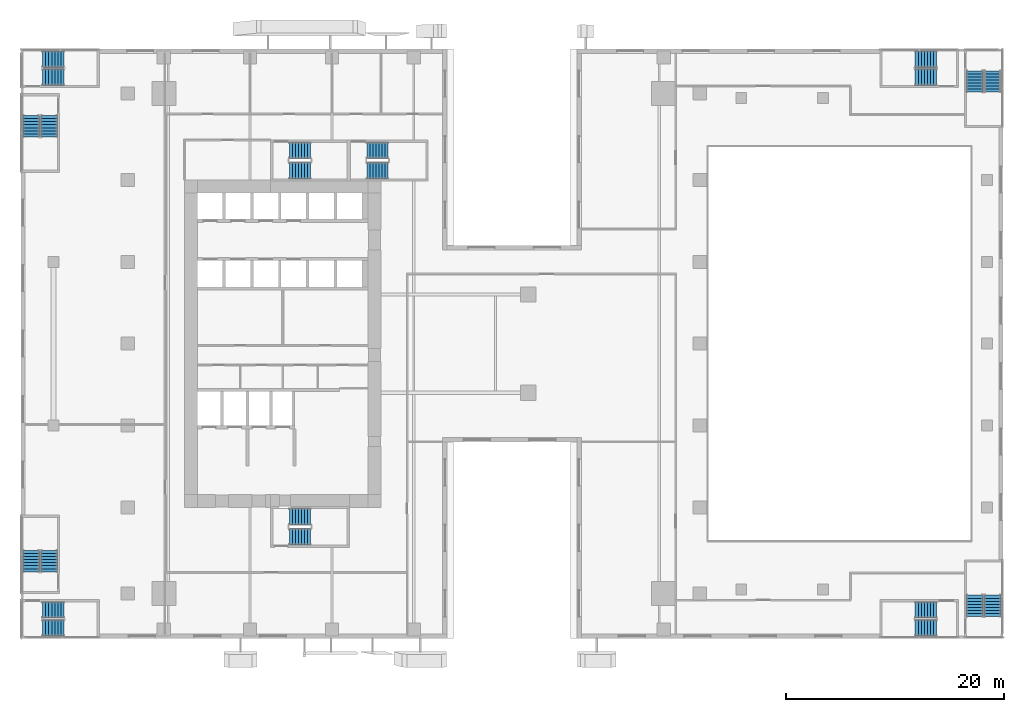
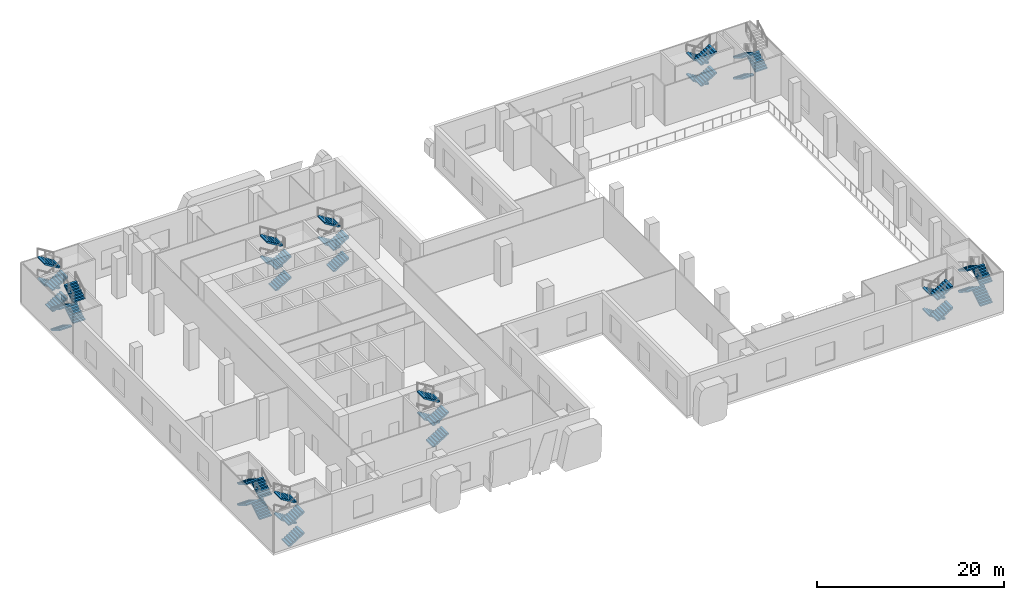
# One storey, part 15 of 23: 43 stair flights, 11 elements without a shape of their own.
"""IFC4 building model written with IfcOpenShell, lengths in metres."""

from ifc_helpers import new_model, si_unit, direction, frame, origin, place, context, subcontext, project, spatial, polyline, outline, extrude, source, transform, mapped, material, type_object, element, aggregate, save


model = new_model("IFC4")

# Units and contexts
model_context = context("Model", 3, precision=1e-05, world=origin(), true_north=direction((0.0, 1.0)))
body_context = subcontext(model_context, "Body", "Model", "MODEL_VIEW")
ifc_project = project(units=[si_unit("LENGTHUNIT", "METRE"), si_unit("AREAUNIT", "SQUARE_METRE"), si_unit("VOLUMEUNIT", "CUBIC_METRE"), si_unit("PLANEANGLEUNIT", "RADIAN"), si_unit("MASSUNIT", "GRAM", prefix="KILO")], contexts=[model_context])

# Site, building, storey
site_placement = place(None, origin())
site = spatial("IfcSite", under=ifc_project, at=site_placement, CompositionType="ELEMENT")
building_placement = place(site_placement, origin())
building = spatial("IfcBuilding", under=site, at=building_placement, Name="Khomas Fold Tower", CompositionType="ELEMENT")
storey_placement = place(building_placement, frame((0.0, 0.0, 13.0)))
storey = spatial("IfcBuildingStorey", under=building, at=storey_placement, Name="L02", CompositionType="ELEMENT", Elevation=13.0)

# Stair, stair flights
ifc_material_1 = material(Name="Concrete C40/50", Category="concrete")
stair_type_1 = type_object("IfcStairType", Name="Stair ST1", PredefinedType="HALF_TURN_STAIR", material=ifc_material_1)
stair_1_placement = place(storey_placement, origin())
stair_1 = element("IfcStair", 1, at=stair_1_placement, inside=storey, type_object=stair_type_1, Name="L02 ST1", PredefinedType="HALF_TURN_STAIR")
ifc_material_2 = material(Name="Concrete C40/50", Category="concrete")
stair_flight_type_1 = type_object("IfcStairFlightType", Name="Stair flight 1500 ST1", PredefinedType="STRAIGHT", material=ifc_material_2)
shared_shape = source(origin(), body_context, "Body", "SweptSolid", [
    extrude(outline(polyline([(0.0, 0.0), (0.0, 0.00146484375), (0.0, 0.0029296875), (0.0, 0.004150390625), (0.0, 0.005615234375), (0.0, 0.007080078125), (0.0, 0.008544921875), (0.0, 0.010009765625), (0.0, 0.011474609375), (0.0, 0.0126953125), (0.0, 0.01416015625), (0.0, 0.015625), (0.0, 0.01708984375), (0.0, 0.0185546875), (0.0, 0.019775390625), (0.0, 0.021240234375), (0.0, 0.022705078125), (0.0, 0.024169921875), (0.0, 0.025634765625), (0.0, 0.027099609375), (0.0, 0.0283203125), (0.0, 0.02978515625), (0.0, 0.03125), (0.0, 0.03271484375), (0.0, 0.0341796875), (0.0, 0.035400390625), (0.0, 0.036865234375), (0.0, 0.038330078125), (0.0, 0.039794921875), (0.0, 0.041259765625), (0.0, 0.042724609375), (0.0, 0.0439453125), (0.0, 0.04541015625), (0.0, 0.046875), (0.0, 0.04833984375), (0.0, 0.0498046875), (0.0, 0.051025390625), (0.0, 0.052490234375), (0.0, 0.053955078125), (0.0, 0.055419921875), (0.0, 0.056884765625), (0.0, 0.058349609375), (0.0, 0.0595703125), (0.0, 0.06103515625), (0.0, 0.0625), (0.0, 0.06396484375), (0.0, 0.0654296875), (0.0, 0.066650390625), (0.0, 0.068115234375), (0.0, 0.069580078125), (0.0, 0.071044921875), (0.0, 0.072509765625), (0.0, 0.073974609375), (0.0, 0.0751953125), (0.0, 0.07666015625), (0.0, 0.078125), (0.0, 0.07958984375), (0.0, 0.0810546875), (0.0, 0.082275390625), (0.0, 0.083740234375), (0.0, 0.085205078125), (0.0, 0.086669921875), (0.0, 0.088134765625), (0.0, 0.089599609375), (0.0, 0.0908203125), (0.0, 0.09228515625), (0.0, 0.09375), (0.0, 0.09521484375), (0.0, 0.0966796875), (0.0, 0.097900390625), (0.0, 0.099365234375), (0.0, 0.100830078125), (0.0, 0.102294921875), (0.0, 0.103759765625), (0.0, 0.105224609375), (0.0, 0.1064453125), (0.0, 0.10791015625), (0.0, 0.109375), (0.0, 0.11083984375), (0.0, 0.1123046875), (0.0, 0.113525390625), (0.0, 0.114990234375), (0.0, 0.116455078125), (0.0, 0.117919921875), (0.0, 0.119384765625), (0.0, 0.120849609375), (0.0, 0.1220703125), (0.0, 0.12353515625), (0.0, 0.125), (0.0, 0.12646484375), (0.0, 0.1279296875), (0.0, 0.129150390625), (0.0, 0.130615234375), (0.0, 0.132080078125), (0.0, 0.133544921875), (0.0, 0.135009765625), (0.0, 0.136474609375), (0.0, 0.1376953125), (0.0, 0.13916015625), (0.0, 0.140625), (0.0, 0.14208984375), (0.0, 0.1435546875), (0.0, 0.144775390625), (0.0, 0.146240234375), (0.0, 0.147705078125), (0.0, 0.149169921875), (0.0, 0.150634765625), (0.0, 0.152099609375), (0.0, 0.1533203125), (0.0, 0.15478515625), (0.0, 0.15625), (0.0, 0.15771484375), (0.0, 0.1591796875), (0.0, 0.160400390625), (0.0, 0.161865234375), (0.0, 0.163330078125), (0.0, 0.164794921875), (0.0, 0.166259765625), (0.0, 0.167724609375), (0.0, 0.1689453125), (0.0, 0.17041015625), (0.0, 0.171875), (0.280029296875, 0.171875), (0.280029296875, 0.34375), (0.56005859375, 0.34375), (0.56005859375, 0.515625), (0.840087890625, 0.515625), (0.840087890625, 0.6875), (1.1201171875, 0.6875), (1.1201171875, 0.859375), (1.39990234375, 0.859375), (1.39990234375, 1.03125), (1.679931640625, 1.03125), (1.679931640625, 1.203125), (1.9599609375, 1.203125), (1.9599609375, 1.375), (1.9599609375, 1.3720703125), (1.9599609375, 1.369140625), (1.9599609375, 1.366455078125), (1.9599609375, 1.363525390625), (1.9599609375, 1.360595703125), (1.9599609375, 1.357666015625), (1.9599609375, 1.35498046875), (1.9599609375, 1.35205078125), (1.9599609375, 1.34912109375), (1.9599609375, 1.34619140625), (1.9599609375, 1.343505859375), (1.9599609375, 1.340576171875), (1.9599609375, 1.337646484375), (1.9599609375, 1.334716796875), (1.9599609375, 1.331787109375), (1.9599609375, 1.3291015625), (1.9599609375, 1.326171875), (1.9599609375, 1.3232421875), (1.9599609375, 1.3203125), (1.9599609375, 1.317626953125), (1.9599609375, 1.314697265625), (1.9599609375, 1.311767578125), (1.9599609375, 1.308837890625), (1.9599609375, 1.305908203125), (1.9599609375, 1.30322265625), (1.9599609375, 1.30029296875), (1.9599609375, 1.29736328125), (1.9599609375, 1.29443359375), (1.9599609375, 1.291748046875), (1.9599609375, 1.288818359375), (1.9599609375, 1.285888671875), (1.9599609375, 1.282958984375), (1.9599609375, 1.2802734375), (1.9599609375, 1.27734375), (1.9599609375, 1.2744140625), (1.9599609375, 1.271484375), (1.9599609375, 1.2685546875), (1.9599609375, 1.265869140625), (1.9599609375, 1.262939453125), (1.9599609375, 1.260009765625), (1.9599609375, 1.257080078125), (1.9599609375, 1.25439453125), (1.9599609375, 1.25146484375), (1.9599609375, 1.24853515625), (1.9599609375, 1.24560546875), (1.9599609375, 1.24267578125), (1.9599609375, 1.239990234375), (1.9599609375, 1.237060546875), (1.9599609375, 1.234130859375), (1.9599609375, 1.231201171875), (1.9599609375, 1.228515625), (1.9599609375, 1.2255859375), (1.9599609375, 1.22265625), (1.9599609375, 1.2197265625), (1.9599609375, 1.217041015625), (1.9599609375, 1.214111328125), (1.9599609375, 1.211181640625), (1.9599609375, 1.208251953125), (1.9599609375, 1.205322265625), (1.9599609375, 1.20263671875), (1.9599609375, 1.19970703125), (1.9599609375, 1.19677734375), (1.9599609375, 1.19384765625), (1.9599609375, 1.191162109375), (1.9599609375, 1.188232421875), (1.9599609375, 1.185302734375), (1.9599609375, 1.182373046875), (1.9599609375, 1.179443359375), (1.9599609375, 1.1767578125), (1.9599609375, 1.173828125), (1.9599609375, 1.1708984375), (1.9599609375, 1.16796875), (1.9599609375, 1.165283203125), (1.9599609375, 1.162353515625), (1.9599609375, 1.159423828125), (1.9599609375, 1.156494140625), (1.9599609375, 1.15380859375), (1.9599609375, 1.15087890625), (1.9599609375, 1.14794921875), (1.9599609375, 1.14501953125), (1.9599609375, 1.14208984375), (1.9599609375, 1.139404296875), (1.9599609375, 1.136474609375), (1.9599609375, 1.133544921875), (1.9599609375, 1.130615234375), (1.9599609375, 1.1279296875), (1.9599609375, 1.125), (1.9599609375, 1.1220703125), (1.9599609375, 1.119140625), (1.9599609375, 1.1162109375), (1.9599609375, 1.113525390625), (1.9599609375, 1.110595703125), (1.9599609375, 1.107666015625), (1.9599609375, 1.104736328125), (1.9599609375, 1.10205078125), (1.9599609375, 1.09912109375), (1.9599609375, 1.09619140625), (1.9599609375, 1.09326171875), (1.9599609375, 1.090576171875), (1.9599609375, 1.087646484375), (1.9599609375, 1.084716796875), (1.9599609375, 1.081787109375), (1.9599609375, 1.078857421875), (1.9599609375, 1.076171875), (1.9599609375, 1.0732421875), (1.9599609375, 1.0703125), (1.9599609375, 1.0673828125), (1.9599609375, 1.064697265625), (1.9599609375, 1.061767578125), (1.9599609375, 1.058837890625), (1.9599609375, 1.055908203125), (1.9599609375, 1.05322265625), (1.9599609375, 1.05029296875), (1.9599609375, 1.04736328125), (1.9599609375, 1.04443359375), (1.9599609375, 1.04150390625), (1.9599609375, 1.038818359375), (1.9599609375, 1.035888671875), (1.9599609375, 1.032958984375), (1.9599609375, 1.030029296875), (1.9599609375, 1.02734375), (0.28662109375, 0.0), (0.0, 0.0)])), frame((0.0, 0.75, 0.0), z_axis=(0.0, -1.0, 0.0), x_axis=(1.0, 0.0, 0.0)), (0.0, 0.0, 1.0), 1.5),
])
stair_flight_1_placement = place(storey_placement, frame((15.60009765625, 42.85009765625, 0.0), z_axis=(0.0, 0.0, 1.0), x_axis=(1.0, 0.0, 0.0)))
stair_flight_1 = element("IfcStairFlight", 2, at=stair_flight_1_placement, type_object=stair_flight_type_1, Name="ST1 flight 1", NumberOfRisers=8, NumberOfTreads=7, PredefinedType="STRAIGHT", RiserHeight=0.171875, TreadLength=0.28, context=body_context, shape_type="MappedRepresentation", body=[
    mapped(shared_shape, transform((0.0, 0.0, 0.0))),
])
stair_flight_2_placement = place(storey_placement, frame((17.56005859375, 44.699951171875, 1.375), z_axis=(0.0, 0.0, 1.0), x_axis=(-1.0, 0.0, 0.0)))
stair_flight_2 = element("IfcStairFlight", 3, at=stair_flight_2_placement, type_object=stair_flight_type_1, Name="ST1 flight 2", NumberOfRisers=8, NumberOfTreads=7, PredefinedType="STRAIGHT", RiserHeight=0.171875, TreadLength=0.28, context=body_context, shape_type="MappedRepresentation", body=[
    mapped(shared_shape, transform((0.0, 0.0, 0.0))),
])
stair_flight_3_placement = place(storey_placement, frame((15.60009765625, 42.85009765625, 2.75), z_axis=(0.0, 0.0, 1.0), x_axis=(1.0, 0.0, 0.0)))
stair_flight_3 = element("IfcStairFlight", 4, at=stair_flight_3_placement, type_object=stair_flight_type_1, Name="ST1 flight 3", NumberOfRisers=8, NumberOfTreads=7, PredefinedType="STRAIGHT", RiserHeight=0.171875, TreadLength=0.28, context=body_context, shape_type="MappedRepresentation", body=[
    mapped(shared_shape, transform((0.0, 0.0, 0.0))),
])
stair_flight_4_placement = place(storey_placement, frame((17.56005859375, 44.699951171875, 4.125), z_axis=(0.0, 0.0, 1.0), x_axis=(-1.0, 0.0, 0.0)))
stair_flight_4 = element("IfcStairFlight", 5, at=stair_flight_4_placement, type_object=stair_flight_type_1, Name="ST1 flight 4", NumberOfRisers=8, NumberOfTreads=7, PredefinedType="STRAIGHT", RiserHeight=0.171875, TreadLength=0.28, context=body_context, shape_type="MappedRepresentation", body=[
    mapped(shared_shape, transform((0.0, 0.0, 0.0))),
])
aggregate(stair_1, [stair_flight_1, stair_flight_2, stair_flight_3, stair_flight_4])

ifc_material_3 = material(Name="Concrete C40/50", Category="concrete")
stair_type_2 = type_object("IfcStairType", Name="Stair ST2", PredefinedType="HALF_TURN_STAIR", material=ifc_material_3)
stair_2_placement = place(storey_placement, origin())
stair_2 = element("IfcStair", 6, at=stair_2_placement, inside=storey, type_object=stair_type_2, Name="L02 ST2", PredefinedType="HALF_TURN_STAIR")
ifc_material_4 = material(Name="Concrete C40/50", Category="concrete")
stair_flight_type_2 = type_object("IfcStairFlightType", Name="Stair flight 1500 ST2", PredefinedType="STRAIGHT", material=ifc_material_4)
stair_flight_5_placement = place(storey_placement, frame((15.60009765625, 9.300048828125, 0.0), z_axis=(0.0, 0.0, 1.0), x_axis=(1.0, 0.0, 0.0)))
stair_flight_5 = element("IfcStairFlight", 7, at=stair_flight_5_placement, type_object=stair_flight_type_2, Name="ST2 flight 1", NumberOfRisers=8, NumberOfTreads=7, PredefinedType="STRAIGHT", RiserHeight=0.171875, TreadLength=0.28, context=body_context, shape_type="MappedRepresentation", body=[
    mapped(shared_shape, transform((0.0, 0.0, 0.0))),
])
stair_flight_6_placement = place(storey_placement, frame((17.56005859375, 11.14990234375, 1.375), z_axis=(0.0, 0.0, 1.0), x_axis=(-1.0, 0.0, 0.0)))
stair_flight_6 = element("IfcStairFlight", 8, at=stair_flight_6_placement, type_object=stair_flight_type_2, Name="ST2 flight 2", NumberOfRisers=8, NumberOfTreads=7, PredefinedType="STRAIGHT", RiserHeight=0.171875, TreadLength=0.28, context=body_context, shape_type="MappedRepresentation", body=[
    mapped(shared_shape, transform((0.0, 0.0, 0.0))),
])
stair_flight_7_placement = place(storey_placement, frame((15.60009765625, 9.300048828125, 2.75), z_axis=(0.0, 0.0, 1.0), x_axis=(1.0, 0.0, 0.0)))
stair_flight_7 = element("IfcStairFlight", 9, at=stair_flight_7_placement, type_object=stair_flight_type_2, Name="ST2 flight 3", NumberOfRisers=8, NumberOfTreads=7, PredefinedType="STRAIGHT", RiserHeight=0.171875, TreadLength=0.28, context=body_context, shape_type="MappedRepresentation", body=[
    mapped(shared_shape, transform((0.0, 0.0, 0.0))),
])
stair_flight_8_placement = place(storey_placement, frame((17.56005859375, 11.14990234375, 4.125), z_axis=(0.0, 0.0, 1.0), x_axis=(-1.0, 0.0, 0.0)))
stair_flight_8 = element("IfcStairFlight", 10, at=stair_flight_8_placement, type_object=stair_flight_type_2, Name="ST2 flight 4", NumberOfRisers=8, NumberOfTreads=7, PredefinedType="STRAIGHT", RiserHeight=0.171875, TreadLength=0.28, context=body_context, shape_type="MappedRepresentation", body=[
    mapped(shared_shape, transform((0.0, 0.0, 0.0))),
])
aggregate(stair_2, [stair_flight_5, stair_flight_6, stair_flight_7, stair_flight_8])

ifc_material_5 = material(Name="Concrete C40/50", Category="concrete")
stair_type_3 = type_object("IfcStairType", Name="Stair ST3", PredefinedType="HALF_TURN_STAIR", material=ifc_material_5)
stair_3_placement = place(storey_placement, origin())
stair_3 = element("IfcStair", 11, at=stair_3_placement, inside=storey, type_object=stair_type_3, Name="L02 ST3", PredefinedType="HALF_TURN_STAIR")
ifc_material_6 = material(Name="Concrete C40/50", Category="concrete")
stair_flight_type_3 = type_object("IfcStairFlightType", Name="Stair flight 1500 ST3", PredefinedType="STRAIGHT", material=ifc_material_6)
stair_flight_9_placement = place(storey_placement, frame((22.699951171875, 42.85009765625, 0.0), z_axis=(0.0, 0.0, 1.0), x_axis=(1.0, 0.0, 0.0)))
stair_flight_9 = element("IfcStairFlight", 12, at=stair_flight_9_placement, type_object=stair_flight_type_3, Name="ST3 flight 1", NumberOfRisers=8, NumberOfTreads=7, PredefinedType="STRAIGHT", RiserHeight=0.171875, TreadLength=0.28, context=body_context, shape_type="MappedRepresentation", body=[
    mapped(shared_shape, transform((0.0, 0.0, 0.0))),
])
stair_flight_10_placement = place(storey_placement, frame((24.659912109375, 44.699951171875, 1.375), z_axis=(0.0, 0.0, 1.0), x_axis=(-1.0, 0.0, 0.0)))
stair_flight_10 = element("IfcStairFlight", 13, at=stair_flight_10_placement, type_object=stair_flight_type_3, Name="ST3 flight 2", NumberOfRisers=8, NumberOfTreads=7, PredefinedType="STRAIGHT", RiserHeight=0.171875, TreadLength=0.28, context=body_context, shape_type="MappedRepresentation", body=[
    mapped(shared_shape, transform((0.0, 0.0, 0.0))),
])
stair_flight_11_placement = place(storey_placement, frame((22.699951171875, 42.85009765625, 2.75), z_axis=(0.0, 0.0, 1.0), x_axis=(1.0, 0.0, 0.0)))
stair_flight_11 = element("IfcStairFlight", 14, at=stair_flight_11_placement, type_object=stair_flight_type_3, Name="ST3 flight 3", NumberOfRisers=8, NumberOfTreads=7, PredefinedType="STRAIGHT", RiserHeight=0.171875, TreadLength=0.28, context=body_context, shape_type="MappedRepresentation", body=[
    mapped(shared_shape, transform((0.0, 0.0, 0.0))),
])
stair_flight_12_placement = place(storey_placement, frame((24.659912109375, 44.699951171875, 4.125), z_axis=(0.0, 0.0, 1.0), x_axis=(-1.0, 0.0, 0.0)))
stair_flight_12 = element("IfcStairFlight", 15, at=stair_flight_12_placement, type_object=stair_flight_type_3, Name="ST3 flight 4", NumberOfRisers=8, NumberOfTreads=7, PredefinedType="STRAIGHT", RiserHeight=0.171875, TreadLength=0.28, context=body_context, shape_type="MappedRepresentation", body=[
    mapped(shared_shape, transform((0.0, 0.0, 0.0))),
])
aggregate(stair_3, [stair_flight_9, stair_flight_10, stair_flight_11, stair_flight_12])

ifc_material_7 = material(Name="Concrete C40/50", Category="concrete")
stair_type_4 = type_object("IfcStairType", Name="Stair PS1", PredefinedType="HALF_TURN_STAIR", material=ifc_material_7)
stair_4_placement = place(storey_placement, origin())
stair_4 = element("IfcStair", 16, at=stair_4_placement, inside=storey, type_object=stair_type_4, Name="L02 PS1", PredefinedType="HALF_TURN_STAIR")
ifc_material_8 = material(Name="Concrete C40/50", Category="concrete")
stair_flight_type_4 = type_object("IfcStairFlightType", Name="Stair flight 1500 PS1", PredefinedType="STRAIGHT", material=ifc_material_8)
stair_flight_13_placement = place(storey_placement, frame((-7.0, 0.949951171875, 0.0), z_axis=(0.0, 0.0, 1.0), x_axis=(1.0, 0.0, 0.0)))
stair_flight_13 = element("IfcStairFlight", 17, at=stair_flight_13_placement, type_object=stair_flight_type_4, Name="PS1 flight 1", NumberOfRisers=8, NumberOfTreads=7, PredefinedType="STRAIGHT", RiserHeight=0.171875, TreadLength=0.28, context=body_context, shape_type="MappedRepresentation", body=[
    mapped(shared_shape, transform((0.0, 0.0, 0.0))),
])
stair_flight_14_placement = place(storey_placement, frame((-5.0400390625, 2.60009765625, 1.375), z_axis=(0.0, 0.0, 1.0), x_axis=(-1.0, 0.0, 0.0)))
stair_flight_14 = element("IfcStairFlight", 18, at=stair_flight_14_placement, type_object=stair_flight_type_4, Name="PS1 flight 2", NumberOfRisers=8, NumberOfTreads=7, PredefinedType="STRAIGHT", RiserHeight=0.171875, TreadLength=0.28, context=body_context, shape_type="MappedRepresentation", body=[
    mapped(shared_shape, transform((0.0, 0.0, 0.0))),
])
stair_flight_15_placement = place(storey_placement, frame((-7.0, 0.949951171875, 2.75), z_axis=(0.0, 0.0, 1.0), x_axis=(1.0, 0.0, 0.0)))
stair_flight_15 = element("IfcStairFlight", 19, at=stair_flight_15_placement, type_object=stair_flight_type_4, Name="PS1 flight 3", NumberOfRisers=8, NumberOfTreads=7, PredefinedType="STRAIGHT", RiserHeight=0.171875, TreadLength=0.28, context=body_context, shape_type="MappedRepresentation", body=[
    mapped(shared_shape, transform((0.0, 0.0, 0.0))),
])
stair_flight_16_placement = place(storey_placement, frame((-5.0400390625, 2.60009765625, 4.125), z_axis=(0.0, 0.0, 1.0), x_axis=(-1.0, 0.0, 0.0)))
stair_flight_16 = element("IfcStairFlight", 20, at=stair_flight_16_placement, type_object=stair_flight_type_4, Name="PS1 flight 4", NumberOfRisers=8, NumberOfTreads=7, PredefinedType="STRAIGHT", RiserHeight=0.171875, TreadLength=0.28, context=body_context, shape_type="MappedRepresentation", body=[
    mapped(shared_shape, transform((0.0, 0.0, 0.0))),
])
aggregate(stair_4, [stair_flight_13, stair_flight_14, stair_flight_15, stair_flight_16])

ifc_material_9 = material(Name="Concrete C40/50", Category="concrete")
stair_type_5 = type_object("IfcStairType", Name="Stair PS2", PredefinedType="HALF_TURN_STAIR", material=ifc_material_9)
stair_5_placement = place(storey_placement, origin())
stair_5 = element("IfcStair", 21, at=stair_5_placement, inside=storey, type_object=stair_type_5, Name="L02 PS2", PredefinedType="HALF_TURN_STAIR")
ifc_material_10 = material(Name="Concrete C40/50", Category="concrete")
stair_flight_type_5 = type_object("IfcStairFlightType", Name="Stair flight 1500 PS2", PredefinedType="STRAIGHT", material=ifc_material_10)
stair_flight_17_placement = place(storey_placement, frame((-6.39990234375, 6.10009765625, 0.0), z_axis=(0.0, 0.0, 1.0), x_axis=(0.0, 1.0, 0.0)))
stair_flight_17 = element("IfcStairFlight", 22, at=stair_flight_17_placement, type_object=stair_flight_type_5, Name="PS2 flight 1", NumberOfRisers=8, NumberOfTreads=7, PredefinedType="STRAIGHT", RiserHeight=0.171875, TreadLength=0.28, context=body_context, shape_type="MappedRepresentation", body=[
    mapped(shared_shape, transform((0.0, 0.0, 0.0))),
])
stair_flight_18_placement = place(storey_placement, frame((-8.050048828125, 8.06005859375, 1.375), z_axis=(0.0, 0.0, 1.0), x_axis=(0.0, -1.0, 0.0)))
stair_flight_18 = element("IfcStairFlight", 23, at=stair_flight_18_placement, type_object=stair_flight_type_5, Name="PS2 flight 2", NumberOfRisers=8, NumberOfTreads=7, PredefinedType="STRAIGHT", RiserHeight=0.171875, TreadLength=0.28, context=body_context, shape_type="MappedRepresentation", body=[
    mapped(shared_shape, transform((0.0, 0.0, 0.0))),
])
stair_flight_19_placement = place(storey_placement, frame((-6.39990234375, 6.10009765625, 2.75), z_axis=(0.0, 0.0, 1.0), x_axis=(0.0, 1.0, 0.0)))
stair_flight_19 = element("IfcStairFlight", 24, at=stair_flight_19_placement, type_object=stair_flight_type_5, Name="PS2 flight 3", NumberOfRisers=8, NumberOfTreads=7, PredefinedType="STRAIGHT", RiserHeight=0.171875, TreadLength=0.28, context=body_context, shape_type="MappedRepresentation", body=[
    mapped(shared_shape, transform((0.0, 0.0, 0.0))),
])
stair_flight_20_placement = place(storey_placement, frame((-8.050048828125, 8.06005859375, 4.125), z_axis=(0.0, 0.0, 1.0), x_axis=(0.0, -1.0, 0.0)))
stair_flight_20 = element("IfcStairFlight", 25, at=stair_flight_20_placement, type_object=stair_flight_type_5, Name="PS2 flight 4", NumberOfRisers=8, NumberOfTreads=7, PredefinedType="STRAIGHT", RiserHeight=0.171875, TreadLength=0.28, context=body_context, shape_type="MappedRepresentation", body=[
    mapped(shared_shape, transform((0.0, 0.0, 0.0))),
])
aggregate(stair_5, [stair_flight_17, stair_flight_18, stair_flight_19, stair_flight_20])

ifc_material_11 = material(Name="Concrete C40/50", Category="concrete")
stair_type_6 = type_object("IfcStairType", Name="Stair PS3", PredefinedType="HALF_TURN_STAIR", material=ifc_material_11)
stair_6_placement = place(storey_placement, origin())
stair_6 = element("IfcStair", 26, at=stair_6_placement, inside=storey, type_object=stair_type_6, Name="L02 PS3", PredefinedType="HALF_TURN_STAIR")
ifc_material_12 = material(Name="Concrete C40/50", Category="concrete")
stair_flight_type_6 = type_object("IfcStairFlightType", Name="Stair flight 1500 PS3", PredefinedType="STRAIGHT", material=ifc_material_12)
stair_flight_21_placement = place(storey_placement, frame((74.89990234375, 2.60009765625, 0.0), z_axis=(0.0, 0.0, 1.0), x_axis=(-1.0, 0.0, 0.0)))
stair_flight_21 = element("IfcStairFlight", 27, at=stair_flight_21_placement, type_object=stair_flight_type_6, Name="PS3 flight 1", NumberOfRisers=8, NumberOfTreads=7, PredefinedType="STRAIGHT", RiserHeight=0.171875, TreadLength=0.28, context=body_context, shape_type="MappedRepresentation", body=[
    mapped(shared_shape, transform((0.0, 0.0, 0.0))),
])
stair_flight_22_placement = place(storey_placement, frame((72.93994140625, 0.949951171875, 1.375), z_axis=(0.0, 0.0, 1.0), x_axis=(1.0, 0.0, 0.0)))
stair_flight_22 = element("IfcStairFlight", 28, at=stair_flight_22_placement, type_object=stair_flight_type_6, Name="PS3 flight 2", NumberOfRisers=8, NumberOfTreads=7, PredefinedType="STRAIGHT", RiserHeight=0.171875, TreadLength=0.28, context=body_context, shape_type="MappedRepresentation", body=[
    mapped(shared_shape, transform((0.0, 0.0, 0.0))),
])
stair_flight_23_placement = place(storey_placement, frame((74.89990234375, 2.60009765625, 2.75), z_axis=(0.0, 0.0, 1.0), x_axis=(-1.0, 0.0, 0.0)))
stair_flight_23 = element("IfcStairFlight", 29, at=stair_flight_23_placement, type_object=stair_flight_type_6, Name="PS3 flight 3", NumberOfRisers=8, NumberOfTreads=7, PredefinedType="STRAIGHT", RiserHeight=0.171875, TreadLength=0.28, context=body_context, shape_type="MappedRepresentation", body=[
    mapped(shared_shape, transform((0.0, 0.0, 0.0))),
])
stair_flight_24_placement = place(storey_placement, frame((72.93994140625, 0.949951171875, 4.125), z_axis=(0.0, 0.0, 1.0), x_axis=(1.0, 0.0, 0.0)))
stair_flight_24 = element("IfcStairFlight", 30, at=stair_flight_24_placement, type_object=stair_flight_type_6, Name="PS3 flight 4", NumberOfRisers=8, NumberOfTreads=7, PredefinedType="STRAIGHT", RiserHeight=0.171875, TreadLength=0.28, context=body_context, shape_type="MappedRepresentation", body=[
    mapped(shared_shape, transform((0.0, 0.0, 0.0))),
])
aggregate(stair_6, [stair_flight_21, stair_flight_22, stair_flight_23, stair_flight_24])

ifc_material_13 = material(Name="Concrete C40/50", Category="concrete")
stair_type_7 = type_object("IfcStairType", Name="Stair PS4", PredefinedType="HALF_TURN_STAIR", material=ifc_material_13)
stair_7_placement = place(storey_placement, origin())
stair_7 = element("IfcStair", 31, at=stair_7_placement, inside=storey, type_object=stair_type_7, Name="L02 PS4", PredefinedType="HALF_TURN_STAIR")
ifc_material_14 = material(Name="Concrete C40/50", Category="concrete")
stair_flight_type_7 = type_object("IfcStairFlightType", Name="Stair flight 1500 PS4", PredefinedType="STRAIGHT", material=ifc_material_14)
stair_flight_25_placement = place(storey_placement, frame((80.050048828125, 2.0, 0.0), z_axis=(0.0, 0.0, 1.0), x_axis=(0.0, 1.0, 0.0)))
stair_flight_25 = element("IfcStairFlight", 32, at=stair_flight_25_placement, type_object=stair_flight_type_7, Name="PS4 flight 1", NumberOfRisers=8, NumberOfTreads=7, PredefinedType="STRAIGHT", RiserHeight=0.171875, TreadLength=0.28, context=body_context, shape_type="MappedRepresentation", body=[
    mapped(shared_shape, transform((0.0, 0.0, 0.0))),
])
stair_flight_26_placement = place(storey_placement, frame((78.39990234375, 3.9599609375, 1.375), z_axis=(0.0, 0.0, 1.0), x_axis=(0.0, -1.0, 0.0)))
stair_flight_26 = element("IfcStairFlight", 33, at=stair_flight_26_placement, type_object=stair_flight_type_7, Name="PS4 flight 2", NumberOfRisers=8, NumberOfTreads=7, PredefinedType="STRAIGHT", RiserHeight=0.171875, TreadLength=0.28, context=body_context, shape_type="MappedRepresentation", body=[
    mapped(shared_shape, transform((0.0, 0.0, 0.0))),
])
stair_flight_27_placement = place(storey_placement, frame((80.050048828125, 2.0, 2.75), z_axis=(0.0, 0.0, 1.0), x_axis=(0.0, 1.0, 0.0)))
stair_flight_27 = element("IfcStairFlight", 34, at=stair_flight_27_placement, type_object=stair_flight_type_7, Name="PS4 flight 3", NumberOfRisers=8, NumberOfTreads=7, PredefinedType="STRAIGHT", RiserHeight=0.171875, TreadLength=0.28, context=body_context, shape_type="MappedRepresentation", body=[
    mapped(shared_shape, transform((0.0, 0.0, 0.0))),
])
stair_flight_28_placement = place(storey_placement, frame((78.39990234375, 3.9599609375, 4.125), z_axis=(0.0, 0.0, 1.0), x_axis=(0.0, -1.0, 0.0)))
stair_flight_28 = element("IfcStairFlight", 35, at=stair_flight_28_placement, type_object=stair_flight_type_7, Name="PS4 flight 4", NumberOfRisers=8, NumberOfTreads=7, PredefinedType="STRAIGHT", RiserHeight=0.171875, TreadLength=0.28, context=body_context, shape_type="MappedRepresentation", body=[
    mapped(shared_shape, transform((0.0, 0.0, 0.0))),
])
aggregate(stair_7, [stair_flight_25, stair_flight_26, stair_flight_27, stair_flight_28])

ifc_material_15 = material(Name="Concrete C40/50", Category="concrete")
stair_type_8 = type_object("IfcStairType", Name="Stair PS5", PredefinedType="HALF_TURN_STAIR", material=ifc_material_15)
stair_8_placement = place(storey_placement, origin())
stair_8 = element("IfcStair", 36, at=stair_8_placement, inside=storey, type_object=stair_type_8, Name="L02 PS5", PredefinedType="HALF_TURN_STAIR")
ifc_material_16 = material(Name="Concrete C40/50", Category="concrete")
stair_flight_type_8 = type_object("IfcStairFlightType", Name="Stair flight 1500 PS5", PredefinedType="STRAIGHT", material=ifc_material_16)
stair_flight_29_placement = place(storey_placement, frame((74.89990234375, 53.050048828125, 0.0), z_axis=(0.0, 0.0, 1.0), x_axis=(-1.0, 0.0, 0.0)))
stair_flight_29 = element("IfcStairFlight", 37, at=stair_flight_29_placement, type_object=stair_flight_type_8, Name="PS5 flight 1", NumberOfRisers=8, NumberOfTreads=7, PredefinedType="STRAIGHT", RiserHeight=0.171875, TreadLength=0.28, context=body_context, shape_type="MappedRepresentation", body=[
    mapped(shared_shape, transform((0.0, 0.0, 0.0))),
])
stair_flight_30_placement = place(storey_placement, frame((72.93994140625, 51.39990234375, 1.375), z_axis=(0.0, 0.0, 1.0), x_axis=(1.0, 0.0, 0.0)))
stair_flight_30 = element("IfcStairFlight", 38, at=stair_flight_30_placement, type_object=stair_flight_type_8, Name="PS5 flight 2", NumberOfRisers=8, NumberOfTreads=7, PredefinedType="STRAIGHT", RiserHeight=0.171875, TreadLength=0.28, context=body_context, shape_type="MappedRepresentation", body=[
    mapped(shared_shape, transform((0.0, 0.0, 0.0))),
])
stair_flight_31_placement = place(storey_placement, frame((74.89990234375, 53.050048828125, 2.75), z_axis=(0.0, 0.0, 1.0), x_axis=(-1.0, 0.0, 0.0)))
stair_flight_31 = element("IfcStairFlight", 39, at=stair_flight_31_placement, type_object=stair_flight_type_8, Name="PS5 flight 3", NumberOfRisers=8, NumberOfTreads=7, PredefinedType="STRAIGHT", RiserHeight=0.171875, TreadLength=0.28, context=body_context, shape_type="MappedRepresentation", body=[
    mapped(shared_shape, transform((0.0, 0.0, 0.0))),
])
stair_flight_32_placement = place(storey_placement, frame((72.93994140625, 51.39990234375, 4.125), z_axis=(0.0, 0.0, 1.0), x_axis=(1.0, 0.0, 0.0)))
stair_flight_32 = element("IfcStairFlight", 40, at=stair_flight_32_placement, type_object=stair_flight_type_8, Name="PS5 flight 4", NumberOfRisers=8, NumberOfTreads=7, PredefinedType="STRAIGHT", RiserHeight=0.171875, TreadLength=0.28, context=body_context, shape_type="MappedRepresentation", body=[
    mapped(shared_shape, transform((0.0, 0.0, 0.0))),
])
aggregate(stair_8, [stair_flight_29, stair_flight_30, stair_flight_31, stair_flight_32])

ifc_material_17 = material(Name="Concrete C40/50", Category="concrete")
stair_type_9 = type_object("IfcStairType", Name="Stair PS6", PredefinedType="HALF_TURN_STAIR", material=ifc_material_17)
stair_9_placement = place(storey_placement, origin())
stair_9 = element("IfcStair", 41, at=stair_9_placement, inside=storey, type_object=stair_type_9, Name="L02 PS6", PredefinedType="HALF_TURN_STAIR")
ifc_material_18 = material(Name="Concrete C40/50", Category="concrete")
stair_flight_type_9 = type_object("IfcStairFlightType", Name="Stair flight 1500 PS6", PredefinedType="STRAIGHT", material=ifc_material_18)
stair_flight_33_placement = place(storey_placement, frame((78.39990234375, 52.0, 0.0), z_axis=(0.0, 0.0, 1.0), x_axis=(0.0, -1.0, 0.0)))
stair_flight_33 = element("IfcStairFlight", 42, at=stair_flight_33_placement, type_object=stair_flight_type_9, Name="PS6 flight 1", NumberOfRisers=8, NumberOfTreads=7, PredefinedType="STRAIGHT", RiserHeight=0.171875, TreadLength=0.28, context=body_context, shape_type="MappedRepresentation", body=[
    mapped(shared_shape, transform((0.0, 0.0, 0.0))),
])
stair_flight_34_placement = place(storey_placement, frame((80.050048828125, 50.0400390625, 1.375), z_axis=(0.0, 0.0, 1.0), x_axis=(0.0, 1.0, 0.0)))
stair_flight_34 = element("IfcStairFlight", 43, at=stair_flight_34_placement, type_object=stair_flight_type_9, Name="PS6 flight 2", NumberOfRisers=8, NumberOfTreads=7, PredefinedType="STRAIGHT", RiserHeight=0.171875, TreadLength=0.28, context=body_context, shape_type="MappedRepresentation", body=[
    mapped(shared_shape, transform((0.0, 0.0, 0.0))),
])
stair_flight_35_placement = place(storey_placement, frame((78.39990234375, 52.0, 2.75), z_axis=(0.0, 0.0, 1.0), x_axis=(0.0, -1.0, 0.0)))
stair_flight_35 = element("IfcStairFlight", 44, at=stair_flight_35_placement, type_object=stair_flight_type_9, Name="PS6 flight 3", NumberOfRisers=8, NumberOfTreads=7, PredefinedType="STRAIGHT", RiserHeight=0.171875, TreadLength=0.28, context=body_context, shape_type="MappedRepresentation", body=[
    mapped(shared_shape, transform((0.0, 0.0, 0.0))),
])
aggregate(stair_9, [stair_flight_33, stair_flight_34, stair_flight_35])

ifc_material_19 = material(Name="Concrete C40/50", Category="concrete")
stair_type_10 = type_object("IfcStairType", Name="Stair PS7", PredefinedType="HALF_TURN_STAIR", material=ifc_material_19)
stair_10_placement = place(storey_placement, origin())
stair_10 = element("IfcStair", 45, at=stair_10_placement, inside=storey, type_object=stair_type_10, Name="L02 PS7", PredefinedType="HALF_TURN_STAIR")
ifc_material_20 = material(Name="Concrete C40/50", Category="concrete")
stair_flight_type_10 = type_object("IfcStairFlightType", Name="Stair flight 1500 PS7", PredefinedType="STRAIGHT", material=ifc_material_20)
stair_flight_36_placement = place(storey_placement, frame((-7.0, 51.39990234375, 0.0), z_axis=(0.0, 0.0, 1.0), x_axis=(1.0, 0.0, 0.0)))
stair_flight_36 = element("IfcStairFlight", 46, at=stair_flight_36_placement, type_object=stair_flight_type_10, Name="PS7 flight 1", NumberOfRisers=8, NumberOfTreads=7, PredefinedType="STRAIGHT", RiserHeight=0.171875, TreadLength=0.28, context=body_context, shape_type="MappedRepresentation", body=[
    mapped(shared_shape, transform((0.0, 0.0, 0.0))),
])
stair_flight_37_placement = place(storey_placement, frame((-5.0400390625, 53.050048828125, 1.375), z_axis=(0.0, 0.0, 1.0), x_axis=(-1.0, 0.0, 0.0)))
stair_flight_37 = element("IfcStairFlight", 47, at=stair_flight_37_placement, type_object=stair_flight_type_10, Name="PS7 flight 2", NumberOfRisers=8, NumberOfTreads=7, PredefinedType="STRAIGHT", RiserHeight=0.171875, TreadLength=0.28, context=body_context, shape_type="MappedRepresentation", body=[
    mapped(shared_shape, transform((0.0, 0.0, 0.0))),
])
stair_flight_38_placement = place(storey_placement, frame((-7.0, 51.39990234375, 2.75), z_axis=(0.0, 0.0, 1.0), x_axis=(1.0, 0.0, 0.0)))
stair_flight_38 = element("IfcStairFlight", 48, at=stair_flight_38_placement, type_object=stair_flight_type_10, Name="PS7 flight 3", NumberOfRisers=8, NumberOfTreads=7, PredefinedType="STRAIGHT", RiserHeight=0.171875, TreadLength=0.28, context=body_context, shape_type="MappedRepresentation", body=[
    mapped(shared_shape, transform((0.0, 0.0, 0.0))),
])
stair_flight_39_placement = place(storey_placement, frame((-5.0400390625, 53.050048828125, 4.125), z_axis=(0.0, 0.0, 1.0), x_axis=(-1.0, 0.0, 0.0)))
stair_flight_39 = element("IfcStairFlight", 49, at=stair_flight_39_placement, type_object=stair_flight_type_10, Name="PS7 flight 4", NumberOfRisers=8, NumberOfTreads=7, PredefinedType="STRAIGHT", RiserHeight=0.171875, TreadLength=0.28, context=body_context, shape_type="MappedRepresentation", body=[
    mapped(shared_shape, transform((0.0, 0.0, 0.0))),
])
aggregate(stair_10, [stair_flight_36, stair_flight_37, stair_flight_38, stair_flight_39])

ifc_material_21 = material(Name="Concrete C40/50", Category="concrete")
stair_type_11 = type_object("IfcStairType", Name="Stair PS8", PredefinedType="HALF_TURN_STAIR", material=ifc_material_21)
stair_11_placement = place(storey_placement, origin())
stair_11 = element("IfcStair", 50, at=stair_11_placement, inside=storey, type_object=stair_type_11, Name="L02 PS8", PredefinedType="HALF_TURN_STAIR")
ifc_material_22 = material(Name="Concrete C40/50", Category="concrete")
stair_flight_type_11 = type_object("IfcStairFlightType", Name="Stair flight 1500 PS8", PredefinedType="STRAIGHT", material=ifc_material_22)
stair_flight_40_placement = place(storey_placement, frame((-8.050048828125, 47.89990234375, 0.0), z_axis=(0.0, 0.0, 1.0), x_axis=(0.0, -1.0, 0.0)))
stair_flight_40 = element("IfcStairFlight", 51, at=stair_flight_40_placement, type_object=stair_flight_type_11, Name="PS8 flight 1", NumberOfRisers=8, NumberOfTreads=7, PredefinedType="STRAIGHT", RiserHeight=0.171875, TreadLength=0.28, context=body_context, shape_type="MappedRepresentation", body=[
    mapped(shared_shape, transform((0.0, 0.0, 0.0))),
])
stair_flight_41_placement = place(storey_placement, frame((-6.39990234375, 45.93994140625, 1.375), z_axis=(0.0, 0.0, 1.0), x_axis=(0.0, 1.0, 0.0)))
stair_flight_41 = element("IfcStairFlight", 52, at=stair_flight_41_placement, type_object=stair_flight_type_11, Name="PS8 flight 2", NumberOfRisers=8, NumberOfTreads=7, PredefinedType="STRAIGHT", RiserHeight=0.171875, TreadLength=0.28, context=body_context, shape_type="MappedRepresentation", body=[
    mapped(shared_shape, transform((0.0, 0.0, 0.0))),
])
stair_flight_42_placement = place(storey_placement, frame((-8.050048828125, 47.89990234375, 2.75), z_axis=(0.0, 0.0, 1.0), x_axis=(0.0, -1.0, 0.0)))
stair_flight_42 = element("IfcStairFlight", 53, at=stair_flight_42_placement, type_object=stair_flight_type_11, Name="PS8 flight 3", NumberOfRisers=8, NumberOfTreads=7, PredefinedType="STRAIGHT", RiserHeight=0.171875, TreadLength=0.28, context=body_context, shape_type="MappedRepresentation", body=[
    mapped(shared_shape, transform((0.0, 0.0, 0.0))),
])
stair_flight_43_placement = place(storey_placement, frame((-6.39990234375, 45.93994140625, 4.125), z_axis=(0.0, 0.0, 1.0), x_axis=(0.0, 1.0, 0.0)))
stair_flight_43 = element("IfcStairFlight", 54, at=stair_flight_43_placement, type_object=stair_flight_type_11, Name="PS8 flight 4", NumberOfRisers=8, NumberOfTreads=7, PredefinedType="STRAIGHT", RiserHeight=0.171875, TreadLength=0.28, context=body_context, shape_type="MappedRepresentation", body=[
    mapped(shared_shape, transform((0.0, 0.0, 0.0))),
])
aggregate(stair_11, [stair_flight_40, stair_flight_41, stair_flight_42, stair_flight_43])

save(model, "model.ifc")
